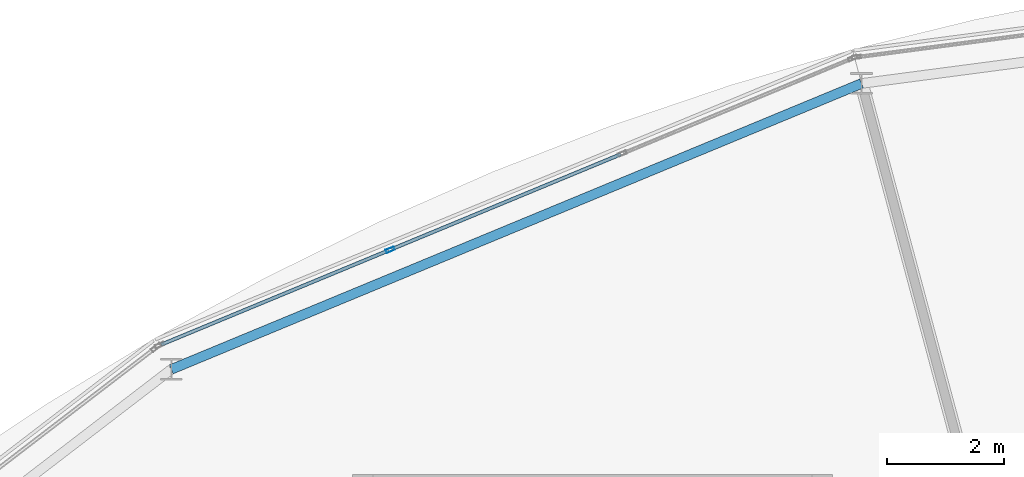
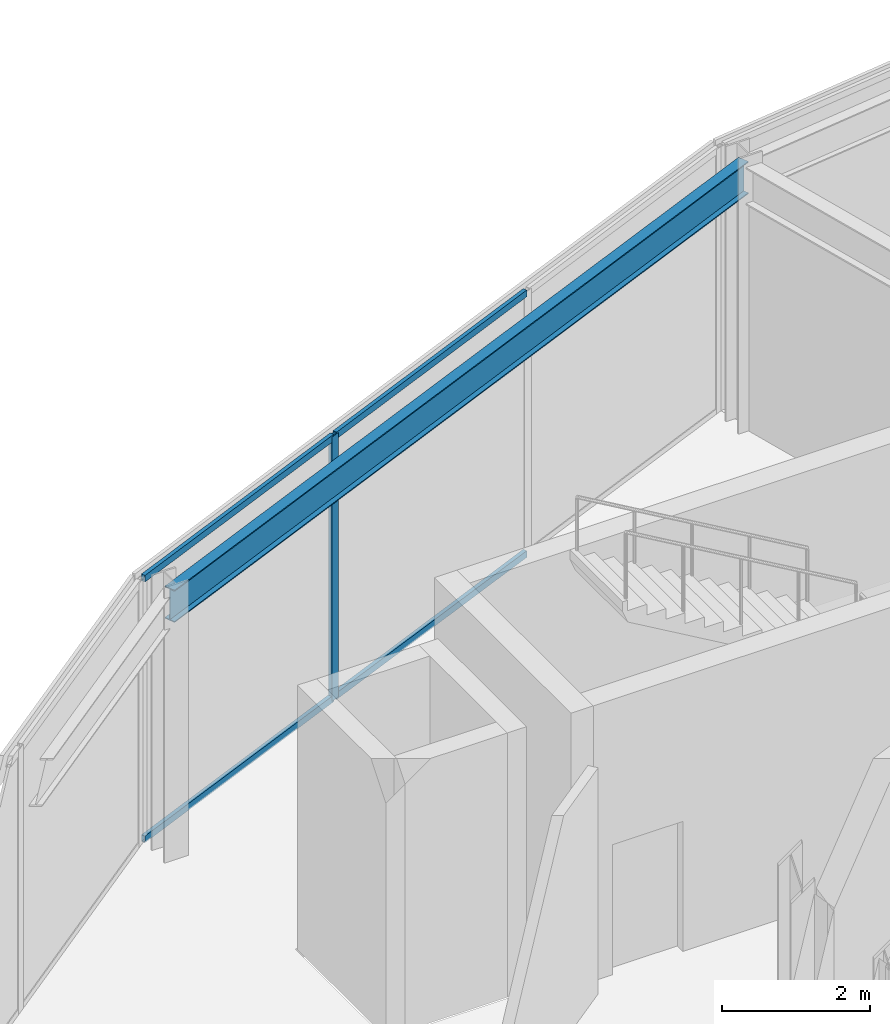
# One storey, part 68 of 157: 5 members, 1 beam, 1 element without a shape of its own.
"""IFC4 building model written with IfcOpenShell, lengths in metres."""

import ifcopenshell
import ifcopenshell.guid

model = None  # the IFC model being written
_history = None  # IfcOwnerHistory: only IFC2X3 demands one
_inside = {}  # id of a spatial element -> (the spatial element, [elements in it])
_under = {}  # id of a project, library or spatial element -> (it, [spatial elements below it])
_declared = {}  # id of a project -> (the project, [libraries it declares])
_typed = {}  # id of a type object -> (the type object, [elements of that type])
_made_of = {}  # id of a material, layer set ... -> (it, [elements and type objects made of it])


def new_model(schema):
    """Start an empty IFC model of exactly this schema.

    Asked for "IFC4X3", IfcOpenShell would pick the latest addendum, in which some entities
    have other attributes; the version numbers below select the first issue.
    IFC2X3 requires an IfcOwnerHistory on every rooted entity: one is made here for all.
    """
    global model, _history
    if schema == "IFC4X3":
        model = ifcopenshell.file(schema_version=(4, 3, 0, 0))
    else:
        model = ifcopenshell.file(schema=schema)
    _inside.clear()
    _under.clear()
    _declared.clear()
    _typed.clear()
    _made_of.clear()
    _history = None
    if model.schema == "IFC2X3":
        org = make("IfcOrganization", Name="unknown")
        user = make(
            "IfcPersonAndOrganization",
            ThePerson=make("IfcPerson", FamilyName="unknown"),
            TheOrganization=org,
        )
        app = make(
            "IfcApplication",
            ApplicationDeveloper=org,
            Version="unknown",
            ApplicationFullName="unknown",
            ApplicationIdentifier="unknown",
        )
        _history = make(
            "IfcOwnerHistory",
            OwningUser=user,
            OwningApplication=app,
            ChangeAction="ADDED",
            CreationDate=0,
        )
    return model


def make(cls, **values):
    """One entity of the class cls with the attributes given. An attribute that is None is left unset."""
    return model.create_entity(
        cls, **{name: value for name, value in values.items() if value is not None}
    )


def rooted(cls, **values):
    """An entity with a GlobalId (a new one), such as an element, a storey or a relation."""
    return make(cls, GlobalId=ifcopenshell.guid.new(), OwnerHistory=_history, **values)


def si_unit(unit_type, name, prefix=None):
    """IfcSIUnit, for example si_unit("LENGTHUNIT", "METRE", prefix="MILLI")."""
    return make("IfcSIUnit", UnitType=unit_type, Prefix=prefix, Name=name)


def assignment(units):
    """IfcUnitAssignment: the units of a project."""
    return None if units is None else make("IfcUnitAssignment", Units=units)


def point(xyz):
    """IfcCartesianPoint."""
    return None if xyz is None else make("IfcCartesianPoint", Coordinates=xyz)


def direction(xyz):
    """IfcDirection."""
    return None if xyz is None else make("IfcDirection", DirectionRatios=xyz)


def frame(location, z_axis=None, x_axis=None):
    """IfcAxis2Placement3D, a coordinate frame: its origin and axes. An axis left out is left unset."""
    return make(
        "IfcAxis2Placement3D",
        Location=point(location),
        Axis=direction(z_axis),
        RefDirection=direction(x_axis),
    )


def frame_2d(location, x_axis=None):
    """IfcAxis2Placement2D, a coordinate frame in the plane: its origin and x axis."""
    return make(
        "IfcAxis2Placement2D", Location=point(location), RefDirection=direction(x_axis)
    )


def origin():
    """The frame at (0, 0, 0) with its axes left unset."""
    return frame((0.0, 0.0, 0.0))


def origin_2d():
    """The frame at (0, 0) in the plane with its x axis left unset."""
    return frame_2d((0.0, 0.0))


def place(relative_to, where):
    """IfcLocalPlacement: puts the frame where relative to a parent placement (None: the world)."""
    return make(
        "IfcLocalPlacement", PlacementRelTo=relative_to, RelativePlacement=where
    )


def context(
    kind, dimensions, precision=None, world=None, true_north=None, identifier=None
):
    """IfcGeometricRepresentationContext, for example the 3D "Model" context."""
    return make(
        "IfcGeometricRepresentationContext",
        ContextIdentifier=identifier,
        ContextType=kind,
        CoordinateSpaceDimension=dimensions,
        Precision=precision,
        WorldCoordinateSystem=world,
        TrueNorth=true_north,
    )


def subcontext(parent, identifier, kind, view, scale=None):
    """IfcGeometricRepresentationSubContext, for example "Body" below "Model"."""
    return make(
        "IfcGeometricRepresentationSubContext",
        ContextIdentifier=identifier,
        ContextType=kind,
        ParentContext=parent,
        TargetScale=scale,
        TargetView=view,
    )


def project(units=None, contexts=None):
    """IfcProject with its units and contexts."""
    return rooted(
        "IfcProject",
        Name="project",
        RepresentationContexts=contexts,
        UnitsInContext=assignment(units),
    )


def spatial(cls, under=None, at=None, **own):
    """A site, building, storey or space (cls), placed at a placement, below another one or the project."""
    s = rooted(cls, ObjectPlacement=at, **own)
    if under is not None:
        _under.setdefault(under.id(), (under, []))[1].append(s)
    return s


def profile(cls, at=None, kind="AREA", **sizes):
    """A parametric profile (cls). Its sizes go by their IFC names, for example OverallWidth=200.0."""
    return make(cls, ProfileType=kind, Position=at, **sizes)


def hollow_rectangle(**sizes):
    """IfcRectangleHollowProfileDef."""
    return profile("IfcRectangleHollowProfileDef", **sizes)


def i_section(**sizes):
    """IfcIShapeProfileDef."""
    return profile("IfcIShapeProfileDef", **sizes)


def extrude(swept, where, along, depth):
    """IfcExtrudedAreaSolid: the profile swept, set in the frame where, extruded along a direction by depth."""
    return make(
        "IfcExtrudedAreaSolid",
        SweptArea=swept,
        Position=where,
        ExtrudedDirection=direction(along),
        Depth=depth,
    )


def shape(context_of_items, identifier, shape_type, items):
    """IfcShapeRepresentation: the items that make up one representation, for example the "Body"."""
    return make(
        "IfcShapeRepresentation",
        ContextOfItems=context_of_items,
        RepresentationIdentifier=identifier,
        RepresentationType=shape_type,
        Items=items,
    )


def material(Name=None, Category=None):
    """IfcMaterial."""
    return make("IfcMaterial", Name=Name, Category=Category)


def material_profile(
    of_material, cross_section, Name=None, Category=None, Priority=None
):
    """IfcMaterialProfile: a cross section and its material."""
    return make(
        "IfcMaterialProfile",
        Name=Name,
        Material=of_material,
        Profile=cross_section,
        Priority=Priority,
        Category=Category,
    )


def profile_set(profiles, Name=None, composite=None):
    """IfcMaterialProfileSet."""
    return make(
        "IfcMaterialProfileSet",
        Name=Name,
        MaterialProfiles=profiles,
        CompositeProfile=composite,
    )


def made_of(thing, what):
    """Note that an element or type object is made of a material, layer set ...; save() writes the relation."""
    if what is not None:
        _made_of.setdefault(what.id(), (what, []))[1].append(thing)
    return thing


def type_object(cls, material=None, **own):
    """A type object (cls), such as IfcWallType, which elements share."""
    return made_of(rooted(cls, **own), material)


def element(
    cls,
    number,
    at=None,
    inside=None,
    cuts=None,
    type_object=None,
    material=None,
    context=None,
    identifier="Body",
    shape_type=None,
    held_by="IfcProductDefinitionShape",
    body=None,
    shapes=None,
    **own,
):
    """One element of the class cls, such as IfcWall. Its Tag is "e" and its number.

    at: its placement. inside: the storey or other place that contains it. cuts: it is an
    opening in that element (IfcRelVoidsElement). A single representation is given by context,
    identifier, shape_type and body (its items); several are given by shapes. held_by: the class
    of the entity that holds the representations. save() writes the other relations.
    """
    e = rooted(cls, Tag="e%d" % number, ObjectPlacement=at, **own)
    if body is not None:
        shapes = [shape(context, identifier, shape_type, body)]
    if shapes is not None:
        e.Representation = make(held_by, Representations=shapes)
    if inside is not None:
        _inside.setdefault(inside.id(), (inside, []))[1].append(e)
    if cuts is not None:
        rooted(
            "IfcRelVoidsElement", RelatingBuildingElement=cuts, RelatedOpeningElement=e
        )
    if type_object is not None:
        _typed.setdefault(type_object.id(), (type_object, []))[1].append(e)
    return made_of(e, material)


def aggregate(whole, parts):
    """IfcRelAggregates: a whole, such as a stair, and the parts it consists of."""
    return rooted("IfcRelAggregates", RelatingObject=whole, RelatedObjects=parts)


def save(model, path):
    """Write the relations noted so far, then the file.

    IfcRelAggregates (storeys below a building ...), IfcRelContainedInSpatialStructure (elements
    in a storey), IfcRelDefinesByType, IfcRelAssociatesMaterial and IfcRelDeclares: one each for
    every whole, place, type object, material and project.
    """
    for whole, parts in _under.values():
        aggregate(whole, parts)
    for where, things in _inside.values():
        rooted(
            "IfcRelContainedInSpatialStructure",
            RelatedElements=things,
            RelatingStructure=where,
        )
    for kind, things in _typed.values():
        rooted("IfcRelDefinesByType", RelatedObjects=things, RelatingType=kind)
    for what, things in _made_of.values():
        rooted("IfcRelAssociatesMaterial", RelatedObjects=things, RelatingMaterial=what)
    for by, libraries in _declared.values():
        rooted("IfcRelDeclares", RelatingContext=by, RelatedDefinitions=libraries)
    model.write(path)


model = new_model("IFC4")

# Units and contexts
model_context = context("Model", 3, precision=1e-05, world=origin(), true_north=direction((0.0, 1.0)))
body_context = subcontext(model_context, "Body", "Model", "MODEL_VIEW")
ifc_project = project(units=[si_unit("LENGTHUNIT", "METRE"), si_unit("AREAUNIT", "SQUARE_METRE"), si_unit("VOLUMEUNIT", "CUBIC_METRE"), si_unit("PLANEANGLEUNIT", "RADIAN"), si_unit("MASSUNIT", "GRAM", prefix="KILO")], contexts=[model_context])

# Site, building, storey
site_placement = place(None, origin())
site = spatial("IfcSite", under=ifc_project, at=site_placement, CompositionType="ELEMENT")
building_placement = place(site_placement, origin())
building = spatial("IfcBuilding", under=site, at=building_placement, Name="Almandine Court Research Institute", CompositionType="ELEMENT")
storey_placement = place(building_placement, frame((0.0, 0.0, 5.25)))
storey = spatial("IfcBuildingStorey", under=building, at=storey_placement, Name="L01", CompositionType="ELEMENT", Elevation=5.25)

# Beam
ifc_material_1 = material(Name="Steel ASTM A992 Grade 50", Category="steel")
ifc_material_profile_1 = material_profile(ifc_material_1, i_section(OverallWidth=0.166015625, OverallDepth=0.534912109375, WebThickness=0.010009765625, FlangeThickness=0.01708984375, at=origin_2d()), Name="W530x85")
ifc_profile_set_1 = profile_set([ifc_material_profile_1], Name="Steel ASTM A992 Grade 50")
beam_type = type_object("IfcBeamType", Name="Beam-G-05-E", PredefinedType="SPANDREL", material=ifc_profile_set_1)
beam_placement = place(storey_placement, frame((74.343994140625, 103.23388671875, 4.10205078125), z_axis=(-0.923891897665, -0.382653578879, 0.0), x_axis=(0.382653578879, -0.923891897665, 0.0)))
element("IfcBeam", 1, at=beam_placement, inside=storey, type_object=beam_type, Name="L01 Drum OUT Ring Beam 07", PredefinedType="SPANDREL", context=body_context, shape_type="SweptSolid", body=[
    extrude(i_section(OverallWidth=0.166015625, OverallDepth=0.534912109375, WebThickness=0.010009765625, FlangeThickness=0.01708984375, at=origin_2d()), origin(), (0.0, 0.0, 1.0), 12.765625),
])

# Curtain wall, members
ifc_material_2 = material(Name="Unitised Curtain Wall Framing and Solar Glazing", Category="glass")
curtain_wall_type = type_object("IfcCurtainWallType", Name="CW-CWG-20", PredefinedType="USERDEFINED", material=ifc_material_2)
curtain_wall_placement = place(storey_placement, origin())
curtain_wall = element("IfcCurtainWall", 2, at=curtain_wall_placement, inside=storey, type_object=curtain_wall_type, Name="L01 Stacked-Ring Drum Outer Unitised Glazing 07", ObjectType="UNITISED GLAZING", PredefinedType="USERDEFINED")
ifc_material_3 = material(Name="Anodised Aluminium AW-6063-T6", Category="aluminium")
ifc_material_profile_2 = material_profile(ifc_material_3, hollow_rectangle(XDim=0.06005859375, YDim=0.14990234375, WallThickness=0.00390625, at=origin_2d()), Name="ALU RHS 60x150x4")
ifc_profile_set_2 = profile_set([ifc_material_profile_2], Name="Anodised Aluminium AW-6063-T6")
member_type_1 = type_object("IfcMemberType", Name="CWMul-60x150", PredefinedType="MULLION", material=ifc_profile_set_2)
member_1_placement = place(storey_placement, frame((66.2890625, 100.3916015625, 0.0), z_axis=(0.0, 0.0, 1.0), x_axis=(-0.382662689242, 0.923888124321, 0.0)))
member_1 = element("IfcMember", 3, at=member_1_placement, type_object=member_type_1, Name="CWG-20 mullion 2", PredefinedType="MULLION", context=body_context, shape_type="SweptSolid", body=[
    extrude(hollow_rectangle(XDim=0.06005859375, YDim=0.14990234375, WallThickness=0.00390625, at=origin_2d()), origin(), (0.0, 0.0, 1.0), 4.3701171875),
])
ifc_material_profile_3 = material_profile(ifc_material_3, hollow_rectangle(XDim=0.06005859375, YDim=0.110107421875, WallThickness=0.00390625, at=origin_2d()), Name="ALU RHS 60x110x4")
ifc_profile_set_3 = profile_set([ifc_material_profile_3], Name="Anodised Aluminium AW-6063-T6")
member_type_2 = type_object("IfcMemberType", Name="CWTrn-60x110", PredefinedType="NOTDEFINED", material=ifc_profile_set_3)
member_2_placement = place(storey_placement, frame((62.37841796875, 98.77197265625, 0.030029296875), z_axis=(0.923892933282, 0.382651078441, 0.0), x_axis=(-0.382651078441, 0.923892933282, 0.0)))
member_2 = element("IfcMember", 4, at=member_2_placement, type_object=member_type_2, Name="CWG-20 transom 1.1", ObjectType="TRANSOM", PredefinedType="USERDEFINED", context=body_context, shape_type="SweptSolid", body=[
    extrude(hollow_rectangle(XDim=0.06005859375, YDim=0.110107421875, WallThickness=0.00390625, at=origin_2d()), origin(), (0.0, 0.0, 1.0), 4.20263671875),
])
member_3_placement = place(storey_placement, frame((62.37841796875, 98.77197265625, 4.340087890625), z_axis=(0.923892933282, 0.382651078441, 0.0), x_axis=(-0.382651078441, 0.923892933282, 0.0)))
member_3 = element("IfcMember", 5, at=member_3_placement, type_object=member_type_2, Name="CWG-20 transom 1.2", ObjectType="TRANSOM", PredefinedType="USERDEFINED", context=body_context, shape_type="SweptSolid", body=[
    extrude(hollow_rectangle(XDim=0.06005859375, YDim=0.110107421875, WallThickness=0.00390625, at=origin_2d()), origin(), (0.0, 0.0, 1.0), 4.20263671875),
])
member_4_placement = place(storey_placement, frame((66.316650390625, 100.403076171875, 0.030029296875), z_axis=(0.92387693948, 0.382689692437, 0.0), x_axis=(-0.382689692437, 0.92387693948, 0.0)))
member_4 = element("IfcMember", 6, at=member_4_placement, type_object=member_type_2, Name="CWG-20 transom 2.1", ObjectType="TRANSOM", PredefinedType="USERDEFINED", context=body_context, shape_type="SweptSolid", body=[
    extrude(hollow_rectangle(XDim=0.06005859375, YDim=0.110107421875, WallThickness=0.00390625, at=origin_2d()), origin(), (0.0, 0.0, 1.0), 4.23291015625),
])
member_5_placement = place(storey_placement, frame((66.316650390625, 100.403076171875, 4.340087890625), z_axis=(0.92387693948, 0.382689692437, 0.0), x_axis=(-0.382689692437, 0.92387693948, 0.0)))
member_5 = element("IfcMember", 7, at=member_5_placement, type_object=member_type_2, Name="CWG-20 transom 2.2", ObjectType="TRANSOM", PredefinedType="USERDEFINED", context=body_context, shape_type="SweptSolid", body=[
    extrude(hollow_rectangle(XDim=0.06005859375, YDim=0.110107421875, WallThickness=0.00390625, at=origin_2d()), origin(), (0.0, 0.0, 1.0), 4.23291015625),
])
aggregate(curtain_wall, [member_1, member_2, member_3, member_4, member_5])

save(model, "model.ifc")
